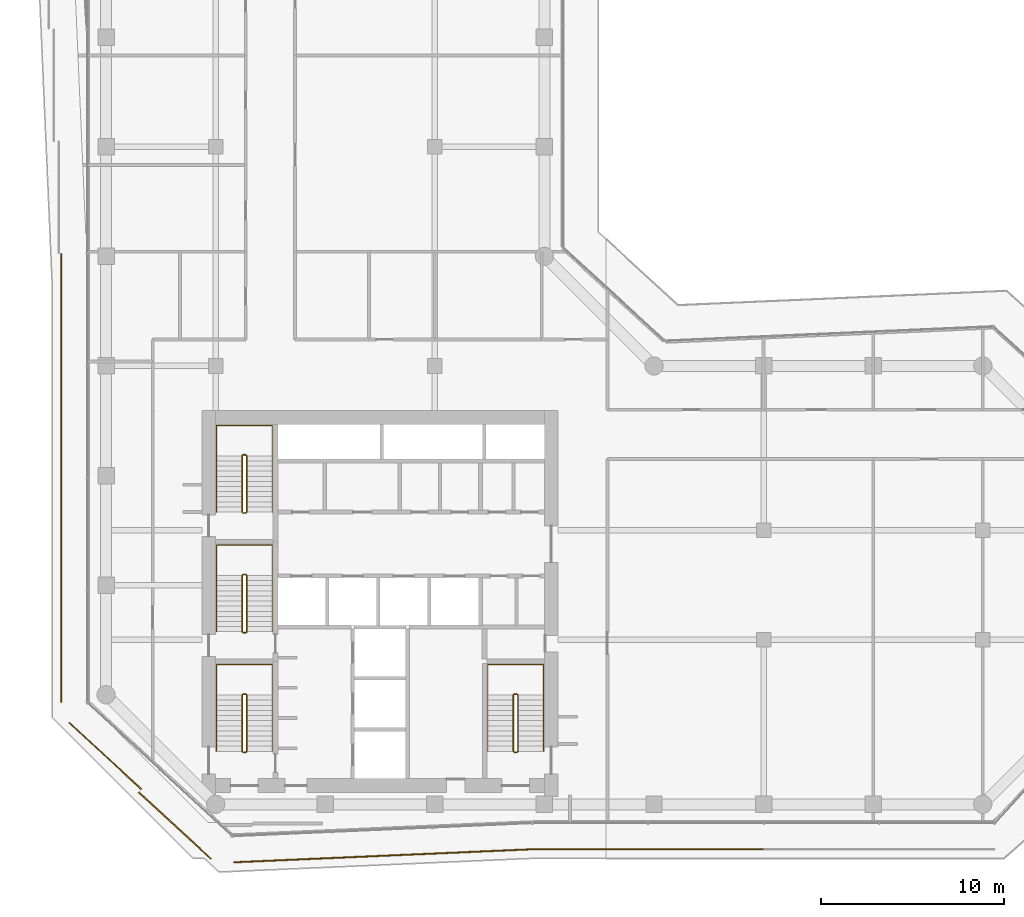
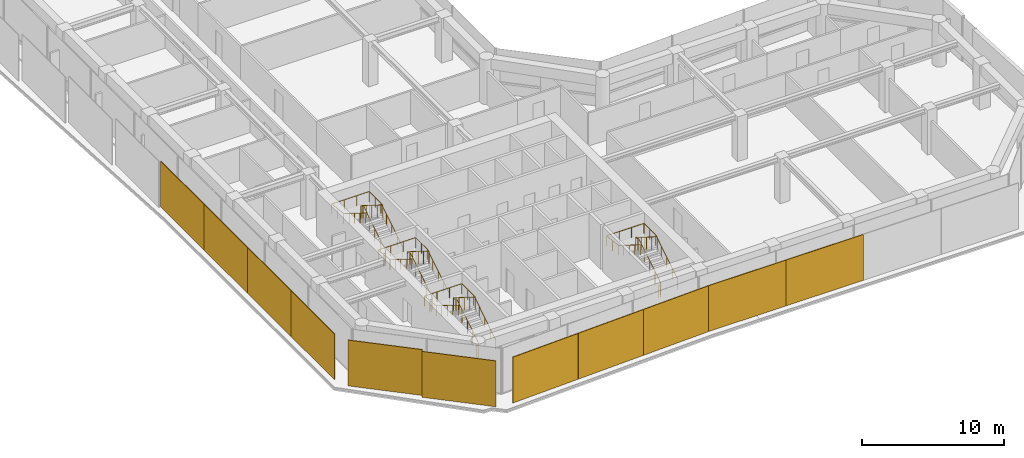
# One storey, part 23 of 24: 11 coverings, 8 railings.
"""IFC4 building model written with IfcOpenShell, lengths in metres."""

import ifcopenshell
import ifcopenshell.guid

model = None  # the IFC model being written
_history = None  # IfcOwnerHistory: only IFC2X3 demands one
_inside = {}  # id of a spatial element -> (the spatial element, [elements in it])
_under = {}  # id of a project, library or spatial element -> (it, [spatial elements below it])
_declared = {}  # id of a project -> (the project, [libraries it declares])
_typed = {}  # id of a type object -> (the type object, [elements of that type])
_made_of = {}  # id of a material, layer set ... -> (it, [elements and type objects made of it])


def new_model(schema):
    """Start an empty IFC model of exactly this schema.

    Asked for "IFC4X3", IfcOpenShell would pick the latest addendum, in which some entities
    have other attributes; the version numbers below select the first issue.
    IFC2X3 requires an IfcOwnerHistory on every rooted entity: one is made here for all.
    """
    global model, _history
    if schema == "IFC4X3":
        model = ifcopenshell.file(schema_version=(4, 3, 0, 0))
    else:
        model = ifcopenshell.file(schema=schema)
    _inside.clear()
    _under.clear()
    _declared.clear()
    _typed.clear()
    _made_of.clear()
    _history = None
    if model.schema == "IFC2X3":
        org = make("IfcOrganization", Name="unknown")
        user = make(
            "IfcPersonAndOrganization",
            ThePerson=make("IfcPerson", FamilyName="unknown"),
            TheOrganization=org,
        )
        app = make(
            "IfcApplication",
            ApplicationDeveloper=org,
            Version="unknown",
            ApplicationFullName="unknown",
            ApplicationIdentifier="unknown",
        )
        _history = make(
            "IfcOwnerHistory",
            OwningUser=user,
            OwningApplication=app,
            ChangeAction="ADDED",
            CreationDate=0,
        )
    return model


def make(cls, **values):
    """One entity of the class cls with the attributes given. An attribute that is None is left unset."""
    return model.create_entity(
        cls, **{name: value for name, value in values.items() if value is not None}
    )


def rooted(cls, **values):
    """An entity with a GlobalId (a new one), such as an element, a storey or a relation."""
    return make(cls, GlobalId=ifcopenshell.guid.new(), OwnerHistory=_history, **values)


def si_unit(unit_type, name, prefix=None):
    """IfcSIUnit, for example si_unit("LENGTHUNIT", "METRE", prefix="MILLI")."""
    return make("IfcSIUnit", UnitType=unit_type, Prefix=prefix, Name=name)


def assignment(units):
    """IfcUnitAssignment: the units of a project."""
    return None if units is None else make("IfcUnitAssignment", Units=units)


def point(xyz):
    """IfcCartesianPoint."""
    return None if xyz is None else make("IfcCartesianPoint", Coordinates=xyz)


def direction(xyz):
    """IfcDirection."""
    return None if xyz is None else make("IfcDirection", DirectionRatios=xyz)


def frame(location, z_axis=None, x_axis=None):
    """IfcAxis2Placement3D, a coordinate frame: its origin and axes. An axis left out is left unset."""
    return make(
        "IfcAxis2Placement3D",
        Location=point(location),
        Axis=direction(z_axis),
        RefDirection=direction(x_axis),
    )


def frame_2d(location, x_axis=None):
    """IfcAxis2Placement2D, a coordinate frame in the plane: its origin and x axis."""
    return make(
        "IfcAxis2Placement2D", Location=point(location), RefDirection=direction(x_axis)
    )


def origin():
    """The frame at (0, 0, 0) with its axes left unset."""
    return frame((0.0, 0.0, 0.0))


def origin_2d():
    """The frame at (0, 0) in the plane with its x axis left unset."""
    return frame_2d((0.0, 0.0))


def place(relative_to, where):
    """IfcLocalPlacement: puts the frame where relative to a parent placement (None: the world)."""
    return make(
        "IfcLocalPlacement", PlacementRelTo=relative_to, RelativePlacement=where
    )


def context(
    kind, dimensions, precision=None, world=None, true_north=None, identifier=None
):
    """IfcGeometricRepresentationContext, for example the 3D "Model" context."""
    return make(
        "IfcGeometricRepresentationContext",
        ContextIdentifier=identifier,
        ContextType=kind,
        CoordinateSpaceDimension=dimensions,
        Precision=precision,
        WorldCoordinateSystem=world,
        TrueNorth=true_north,
    )


def subcontext(parent, identifier, kind, view, scale=None):
    """IfcGeometricRepresentationSubContext, for example "Body" below "Model"."""
    return make(
        "IfcGeometricRepresentationSubContext",
        ContextIdentifier=identifier,
        ContextType=kind,
        ParentContext=parent,
        TargetScale=scale,
        TargetView=view,
    )


def project(units=None, contexts=None):
    """IfcProject with its units and contexts."""
    return rooted(
        "IfcProject",
        Name="project",
        RepresentationContexts=contexts,
        UnitsInContext=assignment(units),
    )


def spatial(cls, under=None, at=None, **own):
    """A site, building, storey or space (cls), placed at a placement, below another one or the project."""
    s = rooted(cls, ObjectPlacement=at, **own)
    if under is not None:
        _under.setdefault(under.id(), (under, []))[1].append(s)
    return s


def profile(cls, at=None, kind="AREA", **sizes):
    """A parametric profile (cls). Its sizes go by their IFC names, for example OverallWidth=200.0."""
    return make(cls, ProfileType=kind, Position=at, **sizes)


def rectangle(**sizes):
    """IfcRectangleProfileDef."""
    return profile("IfcRectangleProfileDef", **sizes)


def circle(**sizes):
    """IfcCircleProfileDef."""
    return profile("IfcCircleProfileDef", **sizes)


def extrude(swept, where, along, depth):
    """IfcExtrudedAreaSolid: the profile swept, set in the frame where, extruded along a direction by depth."""
    return make(
        "IfcExtrudedAreaSolid",
        SweptArea=swept,
        Position=where,
        ExtrudedDirection=direction(along),
        Depth=depth,
    )


def shape(context_of_items, identifier, shape_type, items):
    """IfcShapeRepresentation: the items that make up one representation, for example the "Body"."""
    return make(
        "IfcShapeRepresentation",
        ContextOfItems=context_of_items,
        RepresentationIdentifier=identifier,
        RepresentationType=shape_type,
        Items=items,
    )


def material(Name=None, Category=None):
    """IfcMaterial."""
    return make("IfcMaterial", Name=Name, Category=Category)


def layer(
    of_material, thickness, ventilated=None, Name=None, Category=None, Priority=None
):
    """IfcMaterialLayer: one layer of a wall or slab, of a material (None: an air gap)."""
    return make(
        "IfcMaterialLayer",
        Material=of_material,
        LayerThickness=thickness,
        IsVentilated=ventilated,
        Name=Name,
        Category=Category,
        Priority=Priority,
    )


def layer_set(layers, Name=None):
    """IfcMaterialLayerSet."""
    return make("IfcMaterialLayerSet", MaterialLayers=layers, LayerSetName=Name)


def made_of(thing, what):
    """Note that an element or type object is made of a material, layer set ...; save() writes the relation."""
    if what is not None:
        _made_of.setdefault(what.id(), (what, []))[1].append(thing)
    return thing


def type_object(cls, material=None, **own):
    """A type object (cls), such as IfcWallType, which elements share."""
    return made_of(rooted(cls, **own), material)


def element(
    cls,
    number,
    at=None,
    inside=None,
    cuts=None,
    type_object=None,
    material=None,
    context=None,
    identifier="Body",
    shape_type=None,
    held_by="IfcProductDefinitionShape",
    body=None,
    shapes=None,
    **own,
):
    """One element of the class cls, such as IfcWall. Its Tag is "e" and its number.

    at: its placement. inside: the storey or other place that contains it. cuts: it is an
    opening in that element (IfcRelVoidsElement). A single representation is given by context,
    identifier, shape_type and body (its items); several are given by shapes. held_by: the class
    of the entity that holds the representations. save() writes the other relations.
    """
    e = rooted(cls, Tag="e%d" % number, ObjectPlacement=at, **own)
    if body is not None:
        shapes = [shape(context, identifier, shape_type, body)]
    if shapes is not None:
        e.Representation = make(held_by, Representations=shapes)
    if inside is not None:
        _inside.setdefault(inside.id(), (inside, []))[1].append(e)
    if cuts is not None:
        rooted(
            "IfcRelVoidsElement", RelatingBuildingElement=cuts, RelatedOpeningElement=e
        )
    if type_object is not None:
        _typed.setdefault(type_object.id(), (type_object, []))[1].append(e)
    return made_of(e, material)


def aggregate(whole, parts):
    """IfcRelAggregates: a whole, such as a stair, and the parts it consists of."""
    return rooted("IfcRelAggregates", RelatingObject=whole, RelatedObjects=parts)


def save(model, path):
    """Write the relations noted so far, then the file.

    IfcRelAggregates (storeys below a building ...), IfcRelContainedInSpatialStructure (elements
    in a storey), IfcRelDefinesByType, IfcRelAssociatesMaterial and IfcRelDeclares: one each for
    every whole, place, type object, material and project.
    """
    for whole, parts in _under.values():
        aggregate(whole, parts)
    for where, things in _inside.values():
        rooted(
            "IfcRelContainedInSpatialStructure",
            RelatedElements=things,
            RelatingStructure=where,
        )
    for kind, things in _typed.values():
        rooted("IfcRelDefinesByType", RelatedObjects=things, RelatingType=kind)
    for what, things in _made_of.values():
        rooted("IfcRelAssociatesMaterial", RelatedObjects=things, RelatingMaterial=what)
    for by, libraries in _declared.values():
        rooted("IfcRelDeclares", RelatingContext=by, RelatedDefinitions=libraries)
    model.write(path)


model = new_model("IFC4")

# Units and contexts
model_context = context("Model", 3, precision=1e-05, world=origin(), true_north=direction((0.0, 1.0)))
body_context = subcontext(model_context, "Body", "Model", "MODEL_VIEW")
ifc_project = project(units=[si_unit("LENGTHUNIT", "METRE"), si_unit("AREAUNIT", "SQUARE_METRE"), si_unit("VOLUMEUNIT", "CUBIC_METRE"), si_unit("PLANEANGLEUNIT", "RADIAN"), si_unit("MASSUNIT", "GRAM", prefix="KILO")], contexts=[model_context])

# Site, building, storey
site_placement = place(None, origin())
site = spatial("IfcSite", under=ifc_project, at=site_placement, CompositionType="ELEMENT")
building_placement = place(site_placement, origin())
building = spatial("IfcBuilding", under=site, at=building_placement, Name="Welwitschia Terrace Campus", CompositionType="ELEMENT")
storey_placement = place(building_placement, frame((0.0, 0.0, 100.39990234375)))
storey = spatial("IfcBuildingStorey", under=building, at=storey_placement, Name="L22", CompositionType="ELEMENT", Elevation=100.39990234375)

# Coverings
ifc_material_1 = material(Name="Bronze mesh aluminium screen", Category="aluminium")
ifc_layer = layer(ifc_material_1, 0.06005859375)
ifc_layer_set = layer_set([ifc_layer], Name="Bronze mesh aluminium screen")
covering_type = type_object("IfcCoveringType", Name="Bronze screen 60", PredefinedType="USERDEFINED", material=ifc_layer_set)
for number, where, z_axis, x_axis, name in (
    (1, (-0.04833984375, 6.656005859375, 0.0), (0.0, 0.0, 1.0), (0.735084146452, -0.677975882783, 0.0), "Screen L22.0.0"),
    (2, (3.7724609375, 2.835205078125, 0.0), (0.0, 0.0, 1.0), (0.735084146452, -0.677975882783, 0.0), "Screen L22.0.1"),
):
    element("IfcCovering", number, at=place(storey_placement, frame(where, z_axis=z_axis, x_axis=x_axis)), inside=storey, type_object=covering_type, Name=name, ObjectType="SCREEN", PredefinedType="USERDEFINED", context=body_context, shape_type="SweptSolid", body=[
        extrude(rectangle(XDim=5.37890625, YDim=0.06005859375, at=origin_2d()), origin(), (0.0, 0.0, 1.0), 3.949951171875),
    ])
for number, where, z_axis, x_axis, name in (
    (3, (9.708251953125, 0.943603515625, 0.0), (0.0, 0.0, 1.0), (0.999048221582, 0.043619387365, 0.0), "Screen L22.1.0"),
    (4, (15.18505859375, 1.1826171875, 0.0), (0.0, 0.0, 1.0), (0.999048221582, 0.043619387365, 0.0), "Screen L22.1.1"),
    (5, (20.662109375, 1.421875, 0.0), (0.0, 0.0, 1.0), (0.999048221582, 0.043619387365, 0.0), "Screen L22.1.2"),
):
    element("IfcCovering", number, at=place(storey_placement, frame(where, z_axis=z_axis, x_axis=x_axis)), inside=storey, type_object=covering_type, Name=name, ObjectType="SCREEN", PredefinedType="USERDEFINED", context=body_context, shape_type="SweptSolid", body=[
        extrude(rectangle(XDim=5.462158203125, YDim=0.06005859375, at=origin_2d()), origin(), (0.0, 0.0, 1.0), 3.949951171875),
    ])
for number, where, z_axis, x_axis, name in (
    (6, (26.50390625, 1.5400390625, 0.0), (0.0, 0.0, 1.0), (1.0, 0.0, 0.0), "Screen L22.2.0"),
    (7, (32.83544921875, 1.5400390625, 0.0), (0.0, 0.0, 1.0), (1.0, 0.0, 0.0), "Screen L22.2.1"),
):
    element("IfcCovering", number, at=place(storey_placement, frame(where, z_axis=z_axis, x_axis=x_axis)), inside=storey, type_object=covering_type, Name=name, ObjectType="SCREEN", PredefinedType="USERDEFINED", context=body_context, shape_type="SweptSolid", body=[
        extrude(rectangle(XDim=6.3115234375, YDim=0.06005859375, at=origin_2d()), origin(), (0.0, 0.0, 1.0), 3.949951171875),
    ])
for number, where, z_axis, x_axis, name in (
    (8, (-2.4599609375, 31.083251953125, 0.0), (0.0, 0.0, 1.0), (0.0, -1.0, 0.0), "Screen L22.11.6"),
    (9, (-2.4599609375, 24.9375, 0.0), (0.0, 0.0, 1.0), (0.0, -1.0, 0.0), "Screen L22.11.7"),
    (10, (-2.4599609375, 18.7919921875, 0.0), (0.0, 0.0, 1.0), (0.0, -1.0, 0.0), "Screen L22.11.8"),
    (11, (-2.4599609375, 12.646240234375, 0.0), (0.0, 0.0, 1.0), (0.0, -1.0, 0.0), "Screen L22.11.9"),
):
    element("IfcCovering", number, at=place(storey_placement, frame(where, z_axis=z_axis, x_axis=x_axis)), inside=storey, type_object=covering_type, Name=name, ObjectType="SCREEN", PredefinedType="USERDEFINED", context=body_context, shape_type="SweptSolid", body=[
        extrude(rectangle(XDim=6.125732421875, YDim=0.06005859375, at=origin_2d()), origin(), (0.0, 0.0, 1.0), 3.949951171875),
    ])

# Railings
ifc_material_2 = material(Name="Steel S355", Category="steel")
railing_type_1 = type_object("IfcRailingType", Name="Stair guard 1100", PredefinedType="GUARDRAIL", material=ifc_material_2)
railing_1_placement = place(storey_placement, frame((7.5, 6.85009765625, 0.0)))
element("IfcRailing", 12, at=railing_1_placement, inside=storey, type_object=railing_type_1, Name="L22 S1 stair guard", PredefinedType="GUARDRAIL", context=body_context, shape_type="SweptSolid", body=[
    extrude(circle(Radius=0.02392578125, at=origin_2d()), frame((0.0, 0.0, 1.076171875), z_axis=(1.0, 0.0, 0.0), x_axis=(0.0, 1.0, 0.0)), (0.0, 0.0, 1.0), 0.14990234375),
    extrude(circle(Radius=0.02392578125, at=origin_2d()), frame((0.14990234375, 0.0, 1.076171875), z_axis=(0.265155923931, 0.263862480399, 0.927399011991), x_axis=(-0.705375805398, 0.708833529934, 0.0)), (0.0, 0.0, 1.0), 0.188720703125),
    extrude(circle(Radius=0.02392578125, at=origin_2d()), frame((0.199951171875, 0.0498046875, 1.2509765625), z_axis=(0.0, 0.847998304005, 0.529998940003), x_axis=(-1.0, 0.0, 0.0)), (0.0, 0.0, 1.0), 3.632080078125),
    extrude(circle(Radius=0.02392578125, at=origin_2d()), frame((0.199951171875, 3.1298828125, 3.17626953125), z_axis=(-0.707106781187, 0.707106781187, 0.0), x_axis=(-0.707106781187, -0.707106781187, 0.0)), (0.0, 0.0, 1.0), 0.07080078125),
    extrude(circle(Radius=0.02392578125, at=origin_2d()), frame((0.14990234375, 3.179931640625, 3.17626953125), z_axis=(-1.0, 0.0, 0.0), x_axis=(0.0, -1.0, 0.0)), (0.0, 0.0, 1.0), 0.14990234375),
    extrude(circle(Radius=0.02392578125, at=origin_2d()), frame((0.0, 3.179931640625, 3.17626953125), z_axis=(-0.265065253269, -0.265065253269, 0.927081885822), x_axis=(0.707106781187, -0.707106781187, 0.0)), (0.0, 0.0, 1.0), 0.188720703125),
    extrude(circle(Radius=0.02392578125, at=origin_2d()), frame((-0.050048828125, 3.1298828125, 3.35107421875), z_axis=(0.0, -0.847998304005, 0.529998940003), x_axis=(1.0, 0.0, 0.0)), (0.0, 0.0, 1.0), 3.632080078125),
    extrude(circle(Radius=0.02099609375, at=origin_2d()), origin(), (0.0, 0.0, 1.0), 1.052001953125),
    extrude(circle(Radius=0.02099609375, at=origin_2d()), frame((0.14990234375, 0.0, 0.0)), (0.0, 0.0, 1.0), 1.052001953125),
    extrude(circle(Radius=0.02099609375, at=origin_2d()), frame((0.199951171875, 0.0498046875, 0.175048828125)), (0.0, 0.0, 1.0), 1.052001953125),
    extrude(circle(Radius=0.02099609375, at=origin_2d()), frame((0.199951171875, 0.81982421875, 0.65625)), (0.0, 0.0, 1.0), 1.052001953125),
    extrude(circle(Radius=0.02099609375, at=origin_2d()), frame((0.199951171875, 1.58984375, 1.1376953125)), (0.0, 0.0, 1.0), 1.052001953125),
    extrude(circle(Radius=0.02099609375, at=origin_2d()), frame((0.199951171875, 2.35986328125, 1.618896484375)), (0.0, 0.0, 1.0), 1.052001953125),
    extrude(circle(Radius=0.02099609375, at=origin_2d()), frame((0.199951171875, 3.1298828125, 2.10009765625)), (0.0, 0.0, 1.0), 1.052001953125),
    extrude(circle(Radius=0.02099609375, at=origin_2d()), frame((0.14990234375, 3.179931640625, 2.10009765625)), (0.0, 0.0, 1.0), 1.052001953125),
    extrude(circle(Radius=0.02099609375, at=origin_2d()), frame((0.0, 3.179931640625, 2.10009765625)), (0.0, 0.0, 1.0), 1.052001953125),
    extrude(circle(Radius=0.02099609375, at=origin_2d()), frame((-0.050048828125, 3.1298828125, 2.275146484375)), (0.0, 0.0, 1.0), 1.052001953125),
    extrude(circle(Radius=0.02099609375, at=origin_2d()), frame((-0.050048828125, 2.35986328125, 2.75634765625)), (0.0, 0.0, 1.0), 1.052001953125),
    extrude(circle(Radius=0.02099609375, at=origin_2d()), frame((-0.050048828125, 1.58984375, 3.23779296875)), (0.0, 0.0, 1.0), 1.052001953125),
    extrude(circle(Radius=0.02099609375, at=origin_2d()), frame((-0.050048828125, 0.81982421875, 3.718994140625)), (0.0, 0.0, 1.0), 1.052001953125),
    extrude(circle(Radius=0.02099609375, at=origin_2d()), frame((-0.050048828125, 0.0498046875, 4.2001953125)), (0.0, 0.0, 1.0), 1.052001953125),
])
railing_2_placement = place(storey_placement, frame((7.5, 13.39990234375, 0.0)))
element("IfcRailing", 13, at=railing_2_placement, inside=storey, type_object=railing_type_1, Name="L22 S3 stair guard", PredefinedType="GUARDRAIL", context=body_context, shape_type="SweptSolid", body=[
    extrude(circle(Radius=0.02392578125, at=origin_2d()), frame((0.0, 0.0, 1.076171875), z_axis=(1.0, 0.0, 0.0), x_axis=(0.0, 1.0, 0.0)), (0.0, 0.0, 1.0), 0.14990234375),
    extrude(circle(Radius=0.02392578125, at=origin_2d()), frame((0.14990234375, 0.0, 1.076171875), z_axis=(0.265065253269, 0.265065253269, 0.927081885822), x_axis=(-0.707106781187, 0.707106781187, 0.0)), (0.0, 0.0, 1.0), 0.188720703125),
    extrude(circle(Radius=0.02392578125, at=origin_2d()), frame((0.199951171875, 0.050048828125, 1.2509765625), z_axis=(0.0, 0.847998304005, 0.529998940003), x_axis=(-1.0, 0.0, 0.0)), (0.0, 0.0, 1.0), 3.632080078125),
    extrude(circle(Radius=0.02392578125, at=origin_2d()), frame((0.199951171875, 3.130126953125, 3.17626953125), z_axis=(-0.707106781187, 0.707106781187, 0.0), x_axis=(-0.707106781187, -0.707106781187, 0.0)), (0.0, 0.0, 1.0), 0.07080078125),
    extrude(circle(Radius=0.02392578125, at=origin_2d()), frame((0.14990234375, 3.18017578125, 3.17626953125), z_axis=(-1.0, 0.0, 0.0), x_axis=(0.0, -1.0, 0.0)), (0.0, 0.0, 1.0), 0.14990234375),
    extrude(circle(Radius=0.02392578125, at=origin_2d()), frame((0.0, 3.18017578125, 3.17626953125), z_axis=(-0.265065253269, -0.265065253269, 0.927081885822), x_axis=(0.707106781187, -0.707106781187, 0.0)), (0.0, 0.0, 1.0), 0.188720703125),
    extrude(circle(Radius=0.02392578125, at=origin_2d()), frame((-0.050048828125, 3.130126953125, 3.35107421875), z_axis=(0.0, -0.847998304005, 0.529998940003), x_axis=(1.0, 0.0, 0.0)), (0.0, 0.0, 1.0), 3.632080078125),
    extrude(circle(Radius=0.02099609375, at=origin_2d()), origin(), (0.0, 0.0, 1.0), 1.052001953125),
    extrude(circle(Radius=0.02099609375, at=origin_2d()), frame((0.14990234375, 0.0, 0.0)), (0.0, 0.0, 1.0), 1.052001953125),
    extrude(circle(Radius=0.02099609375, at=origin_2d()), frame((0.199951171875, 0.050048828125, 0.175048828125)), (0.0, 0.0, 1.0), 1.052001953125),
    extrude(circle(Radius=0.02099609375, at=origin_2d()), frame((0.199951171875, 0.820068359375, 0.65625)), (0.0, 0.0, 1.0), 1.052001953125),
    extrude(circle(Radius=0.02099609375, at=origin_2d()), frame((0.199951171875, 1.590087890625, 1.1376953125)), (0.0, 0.0, 1.0), 1.052001953125),
    extrude(circle(Radius=0.02099609375, at=origin_2d()), frame((0.199951171875, 2.360107421875, 1.618896484375)), (0.0, 0.0, 1.0), 1.052001953125),
    extrude(circle(Radius=0.02099609375, at=origin_2d()), frame((0.199951171875, 3.130126953125, 2.10009765625)), (0.0, 0.0, 1.0), 1.052001953125),
    extrude(circle(Radius=0.02099609375, at=origin_2d()), frame((0.14990234375, 3.18017578125, 2.10009765625)), (0.0, 0.0, 1.0), 1.052001953125),
    extrude(circle(Radius=0.02099609375, at=origin_2d()), frame((0.0, 3.18017578125, 2.10009765625)), (0.0, 0.0, 1.0), 1.052001953125),
    extrude(circle(Radius=0.02099609375, at=origin_2d()), frame((-0.050048828125, 3.130126953125, 2.275146484375)), (0.0, 0.0, 1.0), 1.052001953125),
    extrude(circle(Radius=0.02099609375, at=origin_2d()), frame((-0.050048828125, 2.360107421875, 2.75634765625)), (0.0, 0.0, 1.0), 1.052001953125),
    extrude(circle(Radius=0.02099609375, at=origin_2d()), frame((-0.050048828125, 1.590087890625, 3.23779296875)), (0.0, 0.0, 1.0), 1.052001953125),
    extrude(circle(Radius=0.02099609375, at=origin_2d()), frame((-0.050048828125, 0.820068359375, 3.718994140625)), (0.0, 0.0, 1.0), 1.052001953125),
    extrude(circle(Radius=0.02099609375, at=origin_2d()), frame((-0.050048828125, 0.050048828125, 4.2001953125)), (0.0, 0.0, 1.0), 1.052001953125),
])
railing_3_placement = place(storey_placement, frame((7.5, 19.949951171875, 0.0)))
element("IfcRailing", 14, at=railing_3_placement, inside=storey, type_object=railing_type_1, Name="L22 S4 stair guard", PredefinedType="GUARDRAIL", context=body_context, shape_type="SweptSolid", body=[
    extrude(circle(Radius=0.02392578125, at=origin_2d()), frame((0.0, 0.0, 1.076171875), z_axis=(1.0, 0.0, 0.0), x_axis=(0.0, 1.0, 0.0)), (0.0, 0.0, 1.0), 0.14990234375),
    extrude(circle(Radius=0.02392578125, at=origin_2d()), frame((0.14990234375, 0.0, 1.076171875), z_axis=(0.265065253269, 0.265065253269, 0.927081885822), x_axis=(-0.707106781187, 0.707106781187, 0.0)), (0.0, 0.0, 1.0), 0.188720703125),
    extrude(circle(Radius=0.02392578125, at=origin_2d()), frame((0.199951171875, 0.050048828125, 1.2509765625), z_axis=(0.0, 0.847998304005, 0.529998940003), x_axis=(-1.0, 0.0, 0.0)), (0.0, 0.0, 1.0), 3.632080078125),
    extrude(circle(Radius=0.02392578125, at=origin_2d()), frame((0.199951171875, 3.130126953125, 3.17626953125), z_axis=(-0.708833529934, 0.705375805398, 0.0), x_axis=(-0.705375805398, -0.708833529934, 0.0)), (0.0, 0.0, 1.0), 0.070556640625),
    extrude(circle(Radius=0.02392578125, at=origin_2d()), frame((0.14990234375, 3.179931640625, 3.17626953125), z_axis=(-1.0, 0.0, 0.0), x_axis=(0.0, -1.0, 0.0)), (0.0, 0.0, 1.0), 0.14990234375),
    extrude(circle(Radius=0.02392578125, at=origin_2d()), frame((0.0, 3.179931640625, 3.17626953125), z_axis=(-0.265155923931, -0.263862480399, 0.927399011991), x_axis=(0.705375805398, -0.708833529934, 0.0)), (0.0, 0.0, 1.0), 0.188720703125),
    extrude(circle(Radius=0.02392578125, at=origin_2d()), frame((-0.050048828125, 3.130126953125, 3.35107421875), z_axis=(0.0, -0.847998304005, 0.529998940003), x_axis=(1.0, 0.0, 0.0)), (0.0, 0.0, 1.0), 3.632080078125),
    extrude(circle(Radius=0.02099609375, at=origin_2d()), origin(), (0.0, 0.0, 1.0), 1.052001953125),
    extrude(circle(Radius=0.02099609375, at=origin_2d()), frame((0.14990234375, 0.0, 0.0)), (0.0, 0.0, 1.0), 1.052001953125),
    extrude(circle(Radius=0.02099609375, at=origin_2d()), frame((0.199951171875, 0.050048828125, 0.175048828125)), (0.0, 0.0, 1.0), 1.052001953125),
    extrude(circle(Radius=0.02099609375, at=origin_2d()), frame((0.199951171875, 0.820068359375, 0.65625)), (0.0, 0.0, 1.0), 1.052001953125),
    extrude(circle(Radius=0.02099609375, at=origin_2d()), frame((0.199951171875, 1.590087890625, 1.1376953125)), (0.0, 0.0, 1.0), 1.052001953125),
    extrude(circle(Radius=0.02099609375, at=origin_2d()), frame((0.199951171875, 2.360107421875, 1.618896484375)), (0.0, 0.0, 1.0), 1.052001953125),
    extrude(circle(Radius=0.02099609375, at=origin_2d()), frame((0.199951171875, 3.130126953125, 2.10009765625)), (0.0, 0.0, 1.0), 1.052001953125),
    extrude(circle(Radius=0.02099609375, at=origin_2d()), frame((0.14990234375, 3.179931640625, 2.10009765625)), (0.0, 0.0, 1.0), 1.052001953125),
    extrude(circle(Radius=0.02099609375, at=origin_2d()), frame((0.0, 3.179931640625, 2.10009765625)), (0.0, 0.0, 1.0), 1.052001953125),
    extrude(circle(Radius=0.02099609375, at=origin_2d()), frame((-0.050048828125, 3.130126953125, 2.275146484375)), (0.0, 0.0, 1.0), 1.052001953125),
    extrude(circle(Radius=0.02099609375, at=origin_2d()), frame((-0.050048828125, 2.360107421875, 2.75634765625)), (0.0, 0.0, 1.0), 1.052001953125),
    extrude(circle(Radius=0.02099609375, at=origin_2d()), frame((-0.050048828125, 1.590087890625, 3.23779296875)), (0.0, 0.0, 1.0), 1.052001953125),
    extrude(circle(Radius=0.02099609375, at=origin_2d()), frame((-0.050048828125, 0.820068359375, 3.718994140625)), (0.0, 0.0, 1.0), 1.052001953125),
    extrude(circle(Radius=0.02099609375, at=origin_2d()), frame((-0.050048828125, 0.050048828125, 4.2001953125)), (0.0, 0.0, 1.0), 1.052001953125),
])
railing_4_placement = place(storey_placement, frame((22.35009765625, 6.85009765625, 0.0)))
element("IfcRailing", 15, at=railing_4_placement, inside=storey, type_object=railing_type_1, Name="L22 S2 stair guard", PredefinedType="GUARDRAIL", context=body_context, shape_type="SweptSolid", body=[
    extrude(circle(Radius=0.02392578125, at=origin_2d()), frame((0.0, 0.0, 1.076171875), z_axis=(1.0, 0.0, 0.0), x_axis=(0.0, 1.0, 0.0)), (0.0, 0.0, 1.0), 0.14990234375),
    extrude(circle(Radius=0.02392578125, at=origin_2d()), frame((0.14990234375, 0.0, 1.076171875), z_axis=(0.265155923931, 0.263862480399, 0.927399011991), x_axis=(-0.705375805398, 0.708833529934, 0.0)), (0.0, 0.0, 1.0), 0.188720703125),
    extrude(circle(Radius=0.02392578125, at=origin_2d()), frame((0.199951171875, 0.0498046875, 1.2509765625), z_axis=(0.0, 0.847998304005, 0.529998940003), x_axis=(-1.0, 0.0, 0.0)), (0.0, 0.0, 1.0), 3.632080078125),
    extrude(circle(Radius=0.02392578125, at=origin_2d()), frame((0.199951171875, 3.1298828125, 3.17626953125), z_axis=(-0.707106781187, 0.707106781187, 0.0), x_axis=(-0.707106781187, -0.707106781187, 0.0)), (0.0, 0.0, 1.0), 0.07080078125),
    extrude(circle(Radius=0.02392578125, at=origin_2d()), frame((0.14990234375, 3.179931640625, 3.17626953125), z_axis=(-1.0, 0.0, 0.0), x_axis=(0.0, -1.0, 0.0)), (0.0, 0.0, 1.0), 0.14990234375),
    extrude(circle(Radius=0.02392578125, at=origin_2d()), frame((0.0, 3.179931640625, 3.17626953125), z_axis=(-0.265065253269, -0.265065253269, 0.927081885822), x_axis=(0.707106781187, -0.707106781187, 0.0)), (0.0, 0.0, 1.0), 0.188720703125),
    extrude(circle(Radius=0.02392578125, at=origin_2d()), frame((-0.050048828125, 3.1298828125, 3.35107421875), z_axis=(0.0, -0.847998304005, 0.529998940003), x_axis=(1.0, 0.0, 0.0)), (0.0, 0.0, 1.0), 3.632080078125),
    extrude(circle(Radius=0.02099609375, at=origin_2d()), origin(), (0.0, 0.0, 1.0), 1.052001953125),
    extrude(circle(Radius=0.02099609375, at=origin_2d()), frame((0.14990234375, 0.0, 0.0)), (0.0, 0.0, 1.0), 1.052001953125),
    extrude(circle(Radius=0.02099609375, at=origin_2d()), frame((0.199951171875, 0.0498046875, 0.175048828125)), (0.0, 0.0, 1.0), 1.052001953125),
    extrude(circle(Radius=0.02099609375, at=origin_2d()), frame((0.199951171875, 0.81982421875, 0.65625)), (0.0, 0.0, 1.0), 1.052001953125),
    extrude(circle(Radius=0.02099609375, at=origin_2d()), frame((0.199951171875, 1.58984375, 1.1376953125)), (0.0, 0.0, 1.0), 1.052001953125),
    extrude(circle(Radius=0.02099609375, at=origin_2d()), frame((0.199951171875, 2.35986328125, 1.618896484375)), (0.0, 0.0, 1.0), 1.052001953125),
    extrude(circle(Radius=0.02099609375, at=origin_2d()), frame((0.199951171875, 3.1298828125, 2.10009765625)), (0.0, 0.0, 1.0), 1.052001953125),
    extrude(circle(Radius=0.02099609375, at=origin_2d()), frame((0.14990234375, 3.179931640625, 2.10009765625)), (0.0, 0.0, 1.0), 1.052001953125),
    extrude(circle(Radius=0.02099609375, at=origin_2d()), frame((0.0, 3.179931640625, 2.10009765625)), (0.0, 0.0, 1.0), 1.052001953125),
    extrude(circle(Radius=0.02099609375, at=origin_2d()), frame((-0.050048828125, 3.1298828125, 2.275146484375)), (0.0, 0.0, 1.0), 1.052001953125),
    extrude(circle(Radius=0.02099609375, at=origin_2d()), frame((-0.050048828125, 2.35986328125, 2.75634765625)), (0.0, 0.0, 1.0), 1.052001953125),
    extrude(circle(Radius=0.02099609375, at=origin_2d()), frame((-0.050048828125, 1.58984375, 3.23779296875)), (0.0, 0.0, 1.0), 1.052001953125),
    extrude(circle(Radius=0.02099609375, at=origin_2d()), frame((-0.050048828125, 0.81982421875, 3.718994140625)), (0.0, 0.0, 1.0), 1.052001953125),
    extrude(circle(Radius=0.02099609375, at=origin_2d()), frame((-0.050048828125, 0.0498046875, 4.2001953125)), (0.0, 0.0, 1.0), 1.052001953125),
])
ifc_material_3 = material(Name="Steel S355", Category="steel")
railing_type_2 = type_object("IfcRailingType", Name="Stair handrail 900", PredefinedType="HANDRAIL", material=ifc_material_3)
railing_5_placement = place(storey_placement, frame((9.10009765625, 6.89990234375, 0.175048828125)))
element("IfcRailing", 16, at=railing_5_placement, inside=storey, type_object=railing_type_2, Name="L22 S1 stair handrail", PredefinedType="HANDRAIL", context=body_context, shape_type="SweptSolid", body=[
    extrude(circle(Radius=0.02392578125, at=origin_2d()), frame((0.0, 0.0, 0.8759765625), z_axis=(0.0, 0.847998304005, 0.529998940003), x_axis=(-1.0, 0.0, 0.0)), (0.0, 0.0, 1.0), 3.632080078125),
    extrude(circle(Radius=0.02392578125, at=origin_2d()), frame((0.0, 3.080078125, 2.80078125), z_axis=(0.0, 1.0, 0.0), x_axis=(-1.0, 0.0, 0.0)), (0.0, 0.0, 1.0), 1.669921875),
    extrude(circle(Radius=0.02392578125, at=origin_2d()), frame((0.0, 4.75, 2.80078125), z_axis=(-1.0, 0.0, 0.0), x_axis=(0.0, -1.0, 0.0)), (0.0, 0.0, 1.0), 3.050048828125),
    extrude(circle(Radius=0.02392578125, at=origin_2d()), frame((-3.050048828125, 4.75, 2.80078125), z_axis=(0.0, -0.99455077262, 0.104253348533), x_axis=(1.0, 0.0, 0.0)), (0.0, 0.0, 1.0), 1.678955078125),
    extrude(circle(Radius=0.02392578125, at=origin_2d()), frame((-3.050048828125, 3.080078125, 2.97607421875), z_axis=(0.0, -0.847998304005, 0.529998940003), x_axis=(1.0, 0.0, 0.0)), (0.0, 0.0, 1.0), 3.632080078125),
    extrude(circle(Radius=0.02099609375, at=origin_2d()), origin(), (0.0, 0.0, 1.0), 0.851806640625),
    extrude(circle(Radius=0.02099609375, at=origin_2d()), frame((0.0, 0.77001953125, 0.481201171875)), (0.0, 0.0, 1.0), 0.851806640625),
    extrude(circle(Radius=0.02099609375, at=origin_2d()), frame((0.0, 1.5400390625, 0.96240234375)), (0.0, 0.0, 1.0), 0.851806640625),
    extrude(circle(Radius=0.02099609375, at=origin_2d()), frame((0.0, 2.31005859375, 1.44384765625)), (0.0, 0.0, 1.0), 0.851806640625),
    extrude(circle(Radius=0.02099609375, at=origin_2d()), frame((0.0, 3.080078125, 1.925048828125)), (0.0, 0.0, 1.0), 0.851806640625),
    extrude(circle(Radius=0.02099609375, at=origin_2d()), frame((0.0, 3.9150390625, 1.925048828125)), (0.0, 0.0, 1.0), 0.851806640625),
    extrude(circle(Radius=0.02099609375, at=origin_2d()), frame((0.0, 4.75, 1.925048828125)), (0.0, 0.0, 1.0), 0.851806640625),
    extrude(circle(Radius=0.02099609375, at=origin_2d()), frame((-1.0166015625, 4.75, 1.925048828125)), (0.0, 0.0, 1.0), 0.851806640625),
    extrude(circle(Radius=0.02099609375, at=origin_2d()), frame((-2.033447265625, 4.75, 1.925048828125)), (0.0, 0.0, 1.0), 0.851806640625),
    extrude(circle(Radius=0.02099609375, at=origin_2d()), frame((-3.050048828125, 4.75, 1.925048828125)), (0.0, 0.0, 1.0), 0.851806640625),
    extrude(circle(Radius=0.02099609375, at=origin_2d()), frame((-3.050048828125, 3.9150390625, 2.0126953125)), (0.0, 0.0, 1.0), 0.851806640625),
    extrude(circle(Radius=0.02099609375, at=origin_2d()), frame((-3.050048828125, 3.080078125, 2.10009765625)), (0.0, 0.0, 1.0), 0.851806640625),
    extrude(circle(Radius=0.02099609375, at=origin_2d()), frame((-3.050048828125, 2.31005859375, 2.581298828125)), (0.0, 0.0, 1.0), 0.851806640625),
    extrude(circle(Radius=0.02099609375, at=origin_2d()), frame((-3.050048828125, 1.5400390625, 3.0625)), (0.0, 0.0, 1.0), 0.851806640625),
    extrude(circle(Radius=0.02099609375, at=origin_2d()), frame((-3.050048828125, 0.77001953125, 3.5439453125)), (0.0, 0.0, 1.0), 0.851806640625),
    extrude(circle(Radius=0.02099609375, at=origin_2d()), frame((-3.050048828125, 0.0, 4.025146484375)), (0.0, 0.0, 1.0), 0.851806640625),
])
railing_6_placement = place(storey_placement, frame((9.10009765625, 13.449951171875, 0.175048828125)))
element("IfcRailing", 17, at=railing_6_placement, inside=storey, type_object=railing_type_2, Name="L22 S3 stair handrail", PredefinedType="HANDRAIL", context=body_context, shape_type="SweptSolid", body=[
    extrude(circle(Radius=0.02392578125, at=origin_2d()), frame((0.0, 0.0, 0.8759765625), z_axis=(0.0, 0.847998304005, 0.529998940003), x_axis=(-1.0, 0.0, 0.0)), (0.0, 0.0, 1.0), 3.632080078125),
    extrude(circle(Radius=0.02392578125, at=origin_2d()), frame((0.0, 3.080078125, 2.80078125), z_axis=(0.0, 1.0, 0.0), x_axis=(-1.0, 0.0, 0.0)), (0.0, 0.0, 1.0), 1.669921875),
    extrude(circle(Radius=0.02392578125, at=origin_2d()), frame((0.0, 4.75, 2.80078125), z_axis=(-1.0, 0.0, 0.0), x_axis=(0.0, -1.0, 0.0)), (0.0, 0.0, 1.0), 3.050048828125),
    extrude(circle(Radius=0.02392578125, at=origin_2d()), frame((-3.050048828125, 4.75, 2.80078125), z_axis=(0.0, -0.99455077262, 0.104253348533), x_axis=(1.0, 0.0, 0.0)), (0.0, 0.0, 1.0), 1.678955078125),
    extrude(circle(Radius=0.02392578125, at=origin_2d()), frame((-3.050048828125, 3.080078125, 2.97607421875), z_axis=(0.0, -0.847998304005, 0.529998940003), x_axis=(1.0, 0.0, 0.0)), (0.0, 0.0, 1.0), 3.632080078125),
    extrude(circle(Radius=0.02099609375, at=origin_2d()), origin(), (0.0, 0.0, 1.0), 0.851806640625),
    extrude(circle(Radius=0.02099609375, at=origin_2d()), frame((0.0, 0.77001953125, 0.481201171875)), (0.0, 0.0, 1.0), 0.851806640625),
    extrude(circle(Radius=0.02099609375, at=origin_2d()), frame((0.0, 1.5400390625, 0.96240234375)), (0.0, 0.0, 1.0), 0.851806640625),
    extrude(circle(Radius=0.02099609375, at=origin_2d()), frame((0.0, 2.31005859375, 1.44384765625)), (0.0, 0.0, 1.0), 0.851806640625),
    extrude(circle(Radius=0.02099609375, at=origin_2d()), frame((0.0, 3.080078125, 1.925048828125)), (0.0, 0.0, 1.0), 0.851806640625),
    extrude(circle(Radius=0.02099609375, at=origin_2d()), frame((0.0, 3.9150390625, 1.925048828125)), (0.0, 0.0, 1.0), 0.851806640625),
    extrude(circle(Radius=0.02099609375, at=origin_2d()), frame((0.0, 4.75, 1.925048828125)), (0.0, 0.0, 1.0), 0.851806640625),
    extrude(circle(Radius=0.02099609375, at=origin_2d()), frame((-1.0166015625, 4.75, 1.925048828125)), (0.0, 0.0, 1.0), 0.851806640625),
    extrude(circle(Radius=0.02099609375, at=origin_2d()), frame((-2.033447265625, 4.75, 1.925048828125)), (0.0, 0.0, 1.0), 0.851806640625),
    extrude(circle(Radius=0.02099609375, at=origin_2d()), frame((-3.050048828125, 4.75, 1.925048828125)), (0.0, 0.0, 1.0), 0.851806640625),
    extrude(circle(Radius=0.02099609375, at=origin_2d()), frame((-3.050048828125, 3.9150390625, 2.0126953125)), (0.0, 0.0, 1.0), 0.851806640625),
    extrude(circle(Radius=0.02099609375, at=origin_2d()), frame((-3.050048828125, 3.080078125, 2.10009765625)), (0.0, 0.0, 1.0), 0.851806640625),
    extrude(circle(Radius=0.02099609375, at=origin_2d()), frame((-3.050048828125, 2.31005859375, 2.581298828125)), (0.0, 0.0, 1.0), 0.851806640625),
    extrude(circle(Radius=0.02099609375, at=origin_2d()), frame((-3.050048828125, 1.5400390625, 3.0625)), (0.0, 0.0, 1.0), 0.851806640625),
    extrude(circle(Radius=0.02099609375, at=origin_2d()), frame((-3.050048828125, 0.77001953125, 3.5439453125)), (0.0, 0.0, 1.0), 0.851806640625),
    extrude(circle(Radius=0.02099609375, at=origin_2d()), frame((-3.050048828125, 0.0, 4.025146484375)), (0.0, 0.0, 1.0), 0.851806640625),
])
railing_7_placement = place(storey_placement, frame((9.10009765625, 20.0, 0.175048828125)))
element("IfcRailing", 18, at=railing_7_placement, inside=storey, type_object=railing_type_2, Name="L22 S4 stair handrail", PredefinedType="HANDRAIL", context=body_context, shape_type="SweptSolid", body=[
    extrude(circle(Radius=0.02392578125, at=origin_2d()), frame((0.0, 0.0, 0.8759765625), z_axis=(0.0, 0.847998304005, 0.529998940003), x_axis=(-1.0, 0.0, 0.0)), (0.0, 0.0, 1.0), 3.632080078125),
    extrude(circle(Radius=0.02392578125, at=origin_2d()), frame((0.0, 3.080078125, 2.80078125), z_axis=(0.0, 1.0, 0.0), x_axis=(-1.0, 0.0, 0.0)), (0.0, 0.0, 1.0), 1.669921875),
    extrude(circle(Radius=0.02392578125, at=origin_2d()), frame((0.0, 4.75, 2.80078125), z_axis=(-1.0, 0.0, 0.0), x_axis=(0.0, -1.0, 0.0)), (0.0, 0.0, 1.0), 3.050048828125),
    extrude(circle(Radius=0.02392578125, at=origin_2d()), frame((-3.050048828125, 4.75, 2.80078125), z_axis=(0.0, -0.99455077262, 0.104253348533), x_axis=(1.0, 0.0, 0.0)), (0.0, 0.0, 1.0), 1.678955078125),
    extrude(circle(Radius=0.02392578125, at=origin_2d()), frame((-3.050048828125, 3.080078125, 2.97607421875), z_axis=(0.0, -0.847998304005, 0.529998940003), x_axis=(1.0, 0.0, 0.0)), (0.0, 0.0, 1.0), 3.632080078125),
    extrude(circle(Radius=0.02099609375, at=origin_2d()), origin(), (0.0, 0.0, 1.0), 0.851806640625),
    extrude(circle(Radius=0.02099609375, at=origin_2d()), frame((0.0, 0.77001953125, 0.481201171875)), (0.0, 0.0, 1.0), 0.851806640625),
    extrude(circle(Radius=0.02099609375, at=origin_2d()), frame((0.0, 1.5400390625, 0.96240234375)), (0.0, 0.0, 1.0), 0.851806640625),
    extrude(circle(Radius=0.02099609375, at=origin_2d()), frame((0.0, 2.31005859375, 1.44384765625)), (0.0, 0.0, 1.0), 0.851806640625),
    extrude(circle(Radius=0.02099609375, at=origin_2d()), frame((0.0, 3.080078125, 1.925048828125)), (0.0, 0.0, 1.0), 0.851806640625),
    extrude(circle(Radius=0.02099609375, at=origin_2d()), frame((0.0, 3.9150390625, 1.925048828125)), (0.0, 0.0, 1.0), 0.851806640625),
    extrude(circle(Radius=0.02099609375, at=origin_2d()), frame((0.0, 4.75, 1.925048828125)), (0.0, 0.0, 1.0), 0.851806640625),
    extrude(circle(Radius=0.02099609375, at=origin_2d()), frame((-1.0166015625, 4.75, 1.925048828125)), (0.0, 0.0, 1.0), 0.851806640625),
    extrude(circle(Radius=0.02099609375, at=origin_2d()), frame((-2.033447265625, 4.75, 1.925048828125)), (0.0, 0.0, 1.0), 0.851806640625),
    extrude(circle(Radius=0.02099609375, at=origin_2d()), frame((-3.050048828125, 4.75, 1.925048828125)), (0.0, 0.0, 1.0), 0.851806640625),
    extrude(circle(Radius=0.02099609375, at=origin_2d()), frame((-3.050048828125, 3.9150390625, 2.0126953125)), (0.0, 0.0, 1.0), 0.851806640625),
    extrude(circle(Radius=0.02099609375, at=origin_2d()), frame((-3.050048828125, 3.080078125, 2.10009765625)), (0.0, 0.0, 1.0), 0.851806640625),
    extrude(circle(Radius=0.02099609375, at=origin_2d()), frame((-3.050048828125, 2.31005859375, 2.581298828125)), (0.0, 0.0, 1.0), 0.851806640625),
    extrude(circle(Radius=0.02099609375, at=origin_2d()), frame((-3.050048828125, 1.5400390625, 3.0625)), (0.0, 0.0, 1.0), 0.851806640625),
    extrude(circle(Radius=0.02099609375, at=origin_2d()), frame((-3.050048828125, 0.77001953125, 3.5439453125)), (0.0, 0.0, 1.0), 0.851806640625),
    extrude(circle(Radius=0.02099609375, at=origin_2d()), frame((-3.050048828125, 0.0, 4.025146484375)), (0.0, 0.0, 1.0), 0.851806640625),
])
railing_8_placement = place(storey_placement, frame((23.949951171875, 6.89990234375, 0.175048828125)))
element("IfcRailing", 19, at=railing_8_placement, inside=storey, type_object=railing_type_2, Name="L22 S2 stair handrail", PredefinedType="HANDRAIL", context=body_context, shape_type="SweptSolid", body=[
    extrude(circle(Radius=0.02392578125, at=origin_2d()), frame((0.0, 0.0, 0.8759765625), z_axis=(0.0, 0.847998304005, 0.529998940003), x_axis=(-1.0, 0.0, 0.0)), (0.0, 0.0, 1.0), 3.632080078125),
    extrude(circle(Radius=0.02392578125, at=origin_2d()), frame((0.0, 3.080078125, 2.80078125), z_axis=(0.0, 1.0, 0.0), x_axis=(-1.0, 0.0, 0.0)), (0.0, 0.0, 1.0), 1.669921875),
    extrude(circle(Radius=0.02392578125, at=origin_2d()), frame((0.0, 4.75, 2.80078125), z_axis=(-1.0, 0.0, 0.0), x_axis=(0.0, -1.0, 0.0)), (0.0, 0.0, 1.0), 3.050048828125),
    extrude(circle(Radius=0.02392578125, at=origin_2d()), frame((-3.050048828125, 4.75, 2.80078125), z_axis=(0.0, -0.99455077262, 0.104253348533), x_axis=(1.0, 0.0, 0.0)), (0.0, 0.0, 1.0), 1.678955078125),
    extrude(circle(Radius=0.02392578125, at=origin_2d()), frame((-3.050048828125, 3.080078125, 2.97607421875), z_axis=(0.0, -0.847998304005, 0.529998940003), x_axis=(1.0, 0.0, 0.0)), (0.0, 0.0, 1.0), 3.632080078125),
    extrude(circle(Radius=0.02099609375, at=origin_2d()), origin(), (0.0, 0.0, 1.0), 0.851806640625),
    extrude(circle(Radius=0.02099609375, at=origin_2d()), frame((0.0, 0.77001953125, 0.481201171875)), (0.0, 0.0, 1.0), 0.851806640625),
    extrude(circle(Radius=0.02099609375, at=origin_2d()), frame((0.0, 1.5400390625, 0.96240234375)), (0.0, 0.0, 1.0), 0.851806640625),
    extrude(circle(Radius=0.02099609375, at=origin_2d()), frame((0.0, 2.31005859375, 1.44384765625)), (0.0, 0.0, 1.0), 0.851806640625),
    extrude(circle(Radius=0.02099609375, at=origin_2d()), frame((0.0, 3.080078125, 1.925048828125)), (0.0, 0.0, 1.0), 0.851806640625),
    extrude(circle(Radius=0.02099609375, at=origin_2d()), frame((0.0, 3.9150390625, 1.925048828125)), (0.0, 0.0, 1.0), 0.851806640625),
    extrude(circle(Radius=0.02099609375, at=origin_2d()), frame((0.0, 4.75, 1.925048828125)), (0.0, 0.0, 1.0), 0.851806640625),
    extrude(circle(Radius=0.02099609375, at=origin_2d()), frame((-1.0166015625, 4.75, 1.925048828125)), (0.0, 0.0, 1.0), 0.851806640625),
    extrude(circle(Radius=0.02099609375, at=origin_2d()), frame((-2.033447265625, 4.75, 1.925048828125)), (0.0, 0.0, 1.0), 0.851806640625),
    extrude(circle(Radius=0.02099609375, at=origin_2d()), frame((-3.050048828125, 4.75, 1.925048828125)), (0.0, 0.0, 1.0), 0.851806640625),
    extrude(circle(Radius=0.02099609375, at=origin_2d()), frame((-3.050048828125, 3.9150390625, 2.0126953125)), (0.0, 0.0, 1.0), 0.851806640625),
    extrude(circle(Radius=0.02099609375, at=origin_2d()), frame((-3.050048828125, 3.080078125, 2.10009765625)), (0.0, 0.0, 1.0), 0.851806640625),
    extrude(circle(Radius=0.02099609375, at=origin_2d()), frame((-3.050048828125, 2.31005859375, 2.581298828125)), (0.0, 0.0, 1.0), 0.851806640625),
    extrude(circle(Radius=0.02099609375, at=origin_2d()), frame((-3.050048828125, 1.5400390625, 3.0625)), (0.0, 0.0, 1.0), 0.851806640625),
    extrude(circle(Radius=0.02099609375, at=origin_2d()), frame((-3.050048828125, 0.77001953125, 3.5439453125)), (0.0, 0.0, 1.0), 0.851806640625),
    extrude(circle(Radius=0.02099609375, at=origin_2d()), frame((-3.050048828125, 0.0, 4.025146484375)), (0.0, 0.0, 1.0), 0.851806640625),
])

save(model, "model.ifc")
